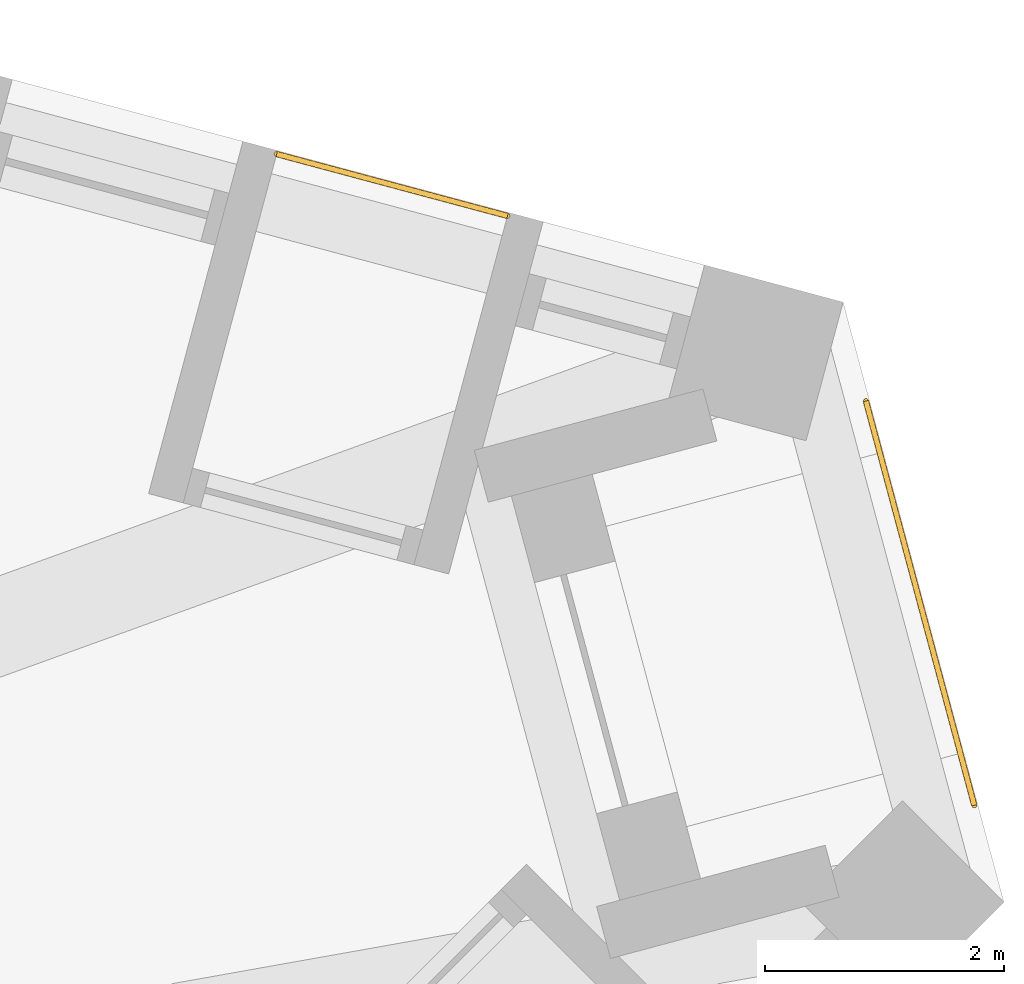
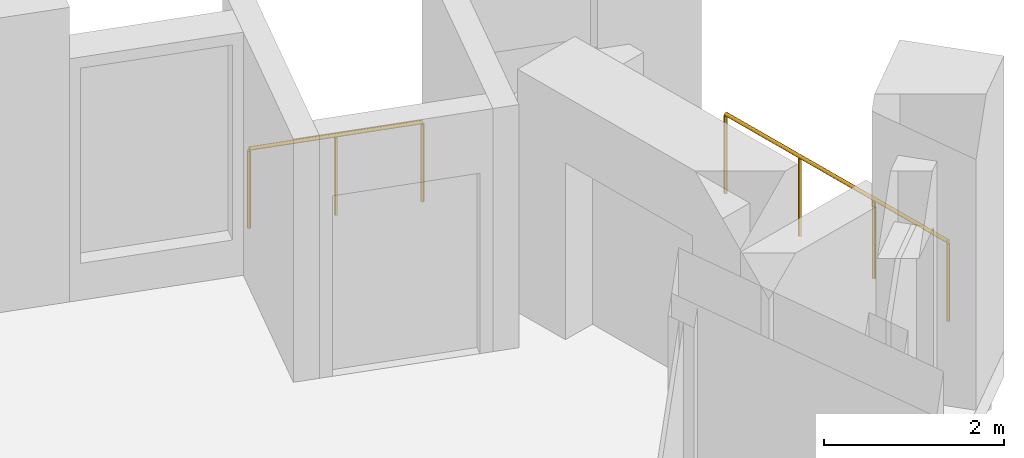
# One storey, part 13 of 13: 2 railings.
"""IFC4 building model written with IfcOpenShell, lengths in metres."""

from ifc_helpers import new_model, si_unit, direction, frame, origin, origin_2d, place, context, subcontext, project, spatial, circle, extrude, material, type_object, element, save


model = new_model("IFC4")

# Units and contexts
model_context = context("Model", 3, precision=1e-05, world=origin(), true_north=direction((0.0, 1.0)))
body_context = subcontext(model_context, "Body", "Model", "MODEL_VIEW")
ifc_project = project(units=[si_unit("LENGTHUNIT", "METRE"), si_unit("AREAUNIT", "SQUARE_METRE"), si_unit("VOLUMEUNIT", "CUBIC_METRE"), si_unit("PLANEANGLEUNIT", "RADIAN"), si_unit("MASSUNIT", "GRAM", prefix="KILO")], contexts=[model_context])

# Site, building, storey
site_placement = place(None, origin())
site = spatial("IfcSite", under=ifc_project, at=site_placement, CompositionType="ELEMENT")
building_placement = place(site_placement, origin())
building = spatial("IfcBuilding", under=site, at=building_placement, Name="Tramontana Tower", CompositionType="ELEMENT")
storey_placement = place(building_placement, frame((0.0, 0.0, 220.0)))
storey = spatial("IfcBuildingStorey", under=building, at=storey_placement, Name="L51", CompositionType="ELEMENT", Elevation=220.0)

# Railings
ifc_material = material(Name="Laminated glass balustrade", Category="glass")
railing_type = type_object("IfcRailingType", Name="GD1 Loggia glass balustrade 1100", PredefinedType="BALUSTRADE", material=ifc_material)
railing_1_placement = place(storey_placement, frame((24.04931640625, 10.60693359375, 0.0)))
element("IfcRailing", 1, at=railing_1_placement, inside=storey, type_object=railing_type, Name="Loggia balustrade L51 G5S2.1", PredefinedType="BALUSTRADE", context=body_context, shape_type="SweptSolid", body=[
    extrude(circle(Radius=0.02392578125, at=origin_2d()), frame((0.0, 0.0, 1.076171875), z_axis=(-0.96593005298, 0.258803270362, 0.0), x_axis=(-0.258803270362, -0.96593005298, 0.0)), (0.0, 0.0, 1.0), 1.998046875),
    extrude(circle(Radius=0.02099609375, at=origin_2d()), origin(), (0.0, 0.0, 1.0), 1.052001953125),
    extrude(circle(Radius=0.02099609375, at=origin_2d()), frame((-0.96484375, 0.258544921875, 0.0)), (0.0, 0.0, 1.0), 1.052001953125),
    extrude(circle(Radius=0.02099609375, at=origin_2d()), frame((-1.929931640625, 0.51708984375, 0.0)), (0.0, 0.0, 1.0), 1.052001953125),
])
railing_2_placement = place(storey_placement, frame((27.046875, 9.058837890625, 0.0)))
element("IfcRailing", 2, at=railing_2_placement, inside=storey, type_object=railing_type, Name="Corner loggia balustrade L51 K52", PredefinedType="BALUSTRADE", context=body_context, shape_type="SweptSolid", body=[
    extrude(circle(Radius=0.02392578125, at=origin_2d()), frame((0.0, 0.0, 1.076171875), z_axis=(0.258865093408, -0.965913486506, 0.0), x_axis=(0.965913486506, 0.258865093408, 0.0)), (0.0, 0.0, 1.0), 3.5),
    extrude(circle(Radius=0.02099609375, at=origin_2d()), origin(), (0.0, 0.0, 1.0), 1.052001953125),
    extrude(circle(Radius=0.02099609375, at=origin_2d()), frame((0.302001953125, -1.126953125, 0.0)), (0.0, 0.0, 1.0), 1.052001953125),
    extrude(circle(Radius=0.02099609375, at=origin_2d()), frame((0.60400390625, -2.253662109375, 0.0)), (0.0, 0.0, 1.0), 1.052001953125),
    extrude(circle(Radius=0.02099609375, at=origin_2d()), frame((0.906005859375, -3.380615234375, 0.0)), (0.0, 0.0, 1.0), 1.052001953125),
])

save(model, "model.ifc")
